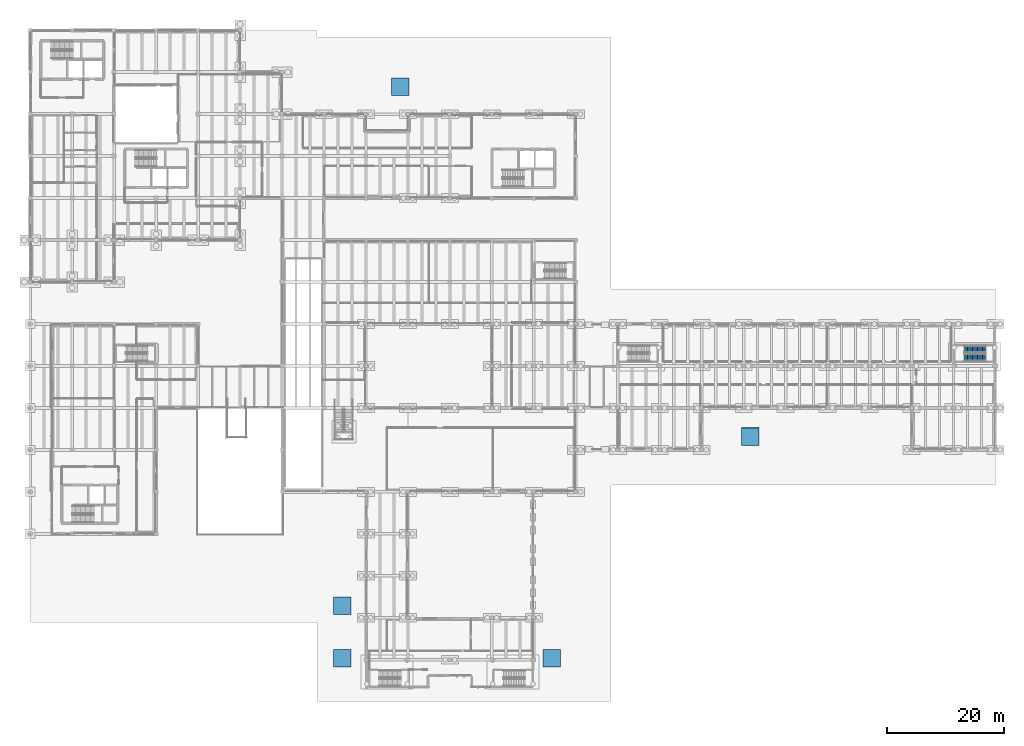
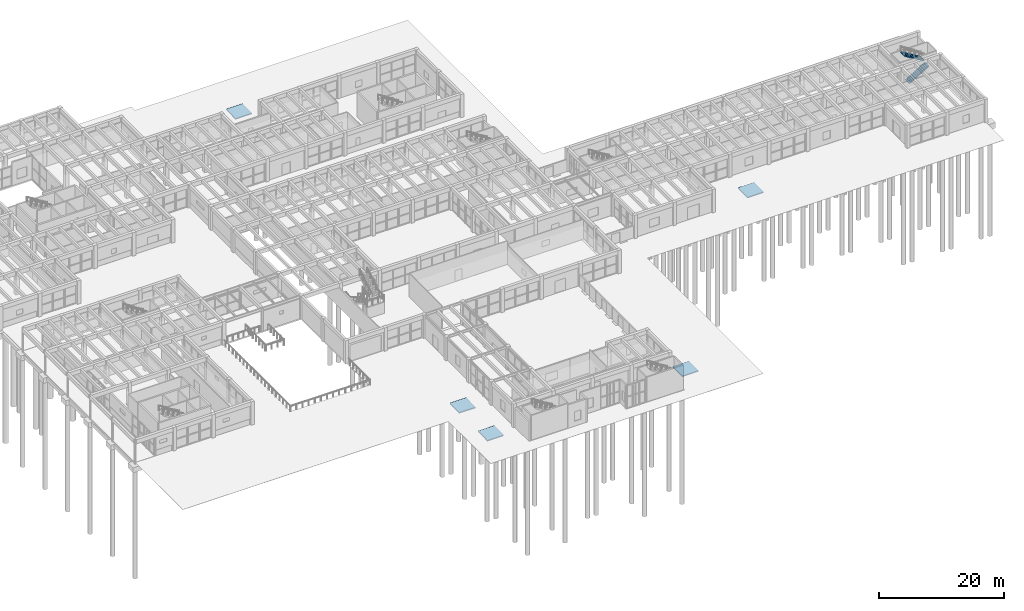
# One storey, part 129 of 155: 5 ramp flights, 2 stair flights, 6 elements without a shape of their own.
"""IFC4 building model written with IfcOpenShell, lengths in metres."""

from ifc_helpers import new_model, si_unit, direction, frame, origin, place, context, subcontext, project, spatial, polyline, outline, extrude, material, layer, layer_set, type_object, element, aggregate, save


model = new_model("IFC4")

# Units and contexts
model_context = context("Model", 3, precision=1e-05, world=origin(), true_north=direction((0.0, 1.0)))
body_context = subcontext(model_context, "Body", "Model", "MODEL_VIEW")
ifc_project = project(units=[si_unit("LENGTHUNIT", "METRE"), si_unit("AREAUNIT", "SQUARE_METRE"), si_unit("VOLUMEUNIT", "CUBIC_METRE"), si_unit("PLANEANGLEUNIT", "RADIAN"), si_unit("MASSUNIT", "GRAM", prefix="KILO")], contexts=[model_context])

# Site, building, storey
site_placement = place(None, origin())
site = spatial("IfcSite", under=ifc_project, at=site_placement, CompositionType="ELEMENT")
building_placement = place(site_placement, origin())
building = spatial("IfcBuilding", under=site, at=building_placement, Name="Bramvelor Terrace Health Centre", CompositionType="ELEMENT")
storey_placement = place(building_placement, origin())
storey = spatial("IfcBuildingStorey", under=building, at=storey_placement, Name="L01", CompositionType="ELEMENT", Elevation=0.0)

# Stair, stair flights
ifc_material_1 = material(Name="Concrete C40/50", Category="concrete")
stair_type = type_object("IfcStairType", Name="STR-SEC", PredefinedType="HALF_TURN_STAIR", material=ifc_material_1)
stair_placement = place(storey_placement, origin())
stair = element("IfcStair", 1, at=stair_placement, inside=storey, type_object=stair_type, Name="L01 East Day Surgery Exit Stair", PredefinedType="HALF_TURN_STAIR")
ifc_material_2 = material(Name="Concrete C40/50", Category="concrete")
stair_flight_type = type_object("IfcStairFlightType", Name="STRF-SEC", PredefinedType="STRAIGHT", material=ifc_material_2)
stair_flight_1_placement = place(storey_placement, frame((160.219970703125, 59.02490234375, 0.0), z_axis=(0.0, 0.0, 1.0), x_axis=(1.0, 0.0, 0.0)))
stair_flight_1 = element("IfcStairFlight", 2, at=stair_flight_1_placement, type_object=stair_flight_type, Name="ST-7 flight 1", NumberOfRisers=14, NumberOfTreads=13, PredefinedType="STRAIGHT", RiserHeight=0.171428571, TreadLength=0.285, context=body_context, shape_type="SweptSolid", body=[
    extrude(outline(polyline([(0.0, 0.0), (0.0, 0.17138671875), (0.284912109375, 0.17138671875), (0.284912109375, 0.3427734375), (0.570068359375, 0.3427734375), (0.570068359375, 0.514404296875), (0.85498046875, 0.514404296875), (0.85498046875, 0.685791015625), (1.139892578125, 0.685791015625), (1.139892578125, 0.857177734375), (1.425048828125, 0.857177734375), (1.425048828125, 1.028564453125), (1.7099609375, 1.028564453125), (1.7099609375, 1.199951171875), (1.9951171875, 1.199951171875), (1.9951171875, 1.371337890625), (2.280029296875, 1.371337890625), (2.280029296875, 1.54296875), (2.56494140625, 1.54296875), (2.56494140625, 1.71435546875), (2.85009765625, 1.71435546875), (2.85009765625, 1.8857421875), (3.135009765625, 1.8857421875), (3.135009765625, 2.05712890625), (3.419921875, 2.05712890625), (3.419921875, 2.228515625), (3.705078125, 2.228515625), (3.705078125, 2.39990234375), (3.705078125, 2.0537109375), (0.290771484375, 0.0), (0.0, 0.0)])), frame((0.0, 0.625, 0.0), z_axis=(0.0, -1.0, 0.0), x_axis=(1.0, 0.0, 0.0)), (0.0, 0.0, 1.0), 1.25),
])
stair_flight_2_placement = place(storey_placement, frame((163.925048828125, 60.47509765625, 2.39990234375), z_axis=(0.0, 0.0, 1.0), x_axis=(-1.0, 0.0, 0.0)))
stair_flight_2 = element("IfcStairFlight", 3, at=stair_flight_2_placement, type_object=stair_flight_type, Name="ST-7 flight 2", NumberOfRisers=14, NumberOfTreads=13, PredefinedType="STRAIGHT", RiserHeight=0.171428571, TreadLength=0.285, context=body_context, shape_type="SweptSolid", body=[
    extrude(outline(polyline([(0.0, 0.0), (0.0, 0.17138671875), (0.284912109375, 0.17138671875), (0.284912109375, 0.3427734375), (0.570068359375, 0.3427734375), (0.570068359375, 0.514404296875), (0.85498046875, 0.514404296875), (0.85498046875, 0.685791015625), (1.139892578125, 0.685791015625), (1.139892578125, 0.857177734375), (1.425048828125, 0.857177734375), (1.425048828125, 1.028564453125), (1.7099609375, 1.028564453125), (1.7099609375, 1.199951171875), (1.9951171875, 1.199951171875), (1.9951171875, 1.371337890625), (2.280029296875, 1.371337890625), (2.280029296875, 1.54296875), (2.56494140625, 1.54296875), (2.56494140625, 1.71435546875), (2.85009765625, 1.71435546875), (2.85009765625, 1.8857421875), (3.135009765625, 1.8857421875), (3.135009765625, 2.05712890625), (3.419921875, 2.05712890625), (3.419921875, 2.228515625), (3.705078125, 2.228515625), (3.705078125, 2.39990234375), (3.705078125, 2.0537109375), (0.290771484375, 0.0), (0.0, 0.0)])), frame((0.0, 0.625, 0.0), z_axis=(0.0, -1.0, 0.0), x_axis=(1.0, 0.0, 0.0)), (0.0, 0.0, 1.0), 1.25),
])
aggregate(stair, [stair_flight_1, stair_flight_2])

# Ramp, ramp flight
ifc_material_3 = material(Name="Concrete C40/50", Category="concrete")
ramp_type = type_object("IfcRampType", Name="RMP-PED-1", PredefinedType="STRAIGHT_RUN_RAMP", material=ifc_material_3)
ramp_1_placement = place(storey_placement, origin())
ramp_1 = element("IfcRamp", 4, at=ramp_1_placement, inside=storey, type_object=ramp_type, Name="Accessible Entrance Ramp PR1", PredefinedType="STRAIGHT_RUN_RAMP")
ifc_material_4 = material(Name="Concrete C40/50", Category="concrete")
ifc_layer = layer(ifc_material_4, 0.199951171875)
ifc_layer_set = layer_set([ifc_layer], Name="Concrete C40/50")
ramp_flight_type = type_object("IfcRampFlightType", Name="RMPF-PED-200", PredefinedType="STRAIGHT", material=ifc_layer_set)
ramp_flight_1_placement = place(storey_placement, frame((52.0, 6.0, -0.050048828125), z_axis=(0.0, -0.01668062159, 0.999860868753), x_axis=(1.0, 0.0, 0.0)))
ramp_flight_1 = element("IfcRampFlight", 5, at=ramp_flight_1_placement, type_object=ramp_flight_type, Name="Accessible Entrance Ramp Flight PR1", PredefinedType="STRAIGHT", context=body_context, shape_type="SweptSolid", body=[
    extrude(outline(polyline([(0.0, 0.0), (3.0, 0.0), (3.0, 3.0004174518217774), (0.0, 3.0004174518217774), (0.0, 0.0)])), origin(), (0.0, 0.0, -1.0), 0.199951171875),
])
aggregate(ramp_1, [ramp_flight_1])

ramp_2_placement = place(storey_placement, origin())
ramp_2 = element("IfcRamp", 6, at=ramp_2_placement, inside=storey, type_object=ramp_type, Name="Accessible Entrance Ramp PR2", PredefinedType="STRAIGHT_RUN_RAMP")
ramp_flight_2_placement = place(storey_placement, frame((88.0, 6.0, -0.050048828125), z_axis=(0.0, -0.01668062159, 0.999860868753), x_axis=(1.0, 0.0, 0.0)))
ramp_flight_2 = element("IfcRampFlight", 7, at=ramp_flight_2_placement, type_object=ramp_flight_type, Name="Accessible Entrance Ramp Flight PR2", PredefinedType="STRAIGHT", context=body_context, shape_type="SweptSolid", body=[
    extrude(outline(polyline([(0.0, 0.0), (3.0, 0.0), (3.0, 3.0004174518217774), (0.0, 3.0004174518217774), (0.0, 0.0)])), origin(), (0.0, 0.0, -1.0), 0.199951171875),
])
aggregate(ramp_2, [ramp_flight_2])

ramp_3_placement = place(storey_placement, origin())
ramp_3 = element("IfcRamp", 8, at=ramp_3_placement, inside=storey, type_object=ramp_type, Name="Accessible Entrance Ramp PR3", PredefinedType="STRAIGHT_RUN_RAMP")
ramp_flight_3_placement = place(storey_placement, frame((52.0, 15.0, -0.050048828125), z_axis=(0.0, -0.01668062159, 0.999860868753), x_axis=(1.0, 0.0, 0.0)))
ramp_flight_3 = element("IfcRampFlight", 9, at=ramp_flight_3_placement, type_object=ramp_flight_type, Name="Accessible Entrance Ramp Flight PR3", PredefinedType="STRAIGHT", context=body_context, shape_type="SweptSolid", body=[
    extrude(outline(polyline([(0.0, 0.0), (3.0, 0.0), (3.0, 3.0004174518217774), (0.0, 3.0004174518217774), (0.0, 0.0)])), origin(), (0.0, 0.0, -1.0), 0.199951171875),
])
aggregate(ramp_3, [ramp_flight_3])

ramp_4_placement = place(storey_placement, origin())
ramp_4 = element("IfcRamp", 10, at=ramp_4_placement, inside=storey, type_object=ramp_type, Name="Accessible Entrance Ramp PR4", PredefinedType="STRAIGHT_RUN_RAMP")
ramp_flight_4_placement = place(storey_placement, frame((122.0, 44.0, -0.050048828125), z_axis=(0.0, -0.01668062159, 0.999860868753), x_axis=(1.0, 0.0, 0.0)))
ramp_flight_4 = element("IfcRampFlight", 11, at=ramp_flight_4_placement, type_object=ramp_flight_type, Name="Accessible Entrance Ramp Flight PR4", PredefinedType="STRAIGHT", context=body_context, shape_type="SweptSolid", body=[
    extrude(outline(polyline([(0.0, 0.0), (3.0, 0.0), (3.0, 3.0004174518217774), (0.0, 3.0004174518217774), (0.0, 0.0)])), origin(), (0.0, 0.0, -1.0), 0.199951171875),
])
aggregate(ramp_4, [ramp_flight_4])

ramp_5_placement = place(storey_placement, origin())
ramp_5 = element("IfcRamp", 12, at=ramp_5_placement, inside=storey, type_object=ramp_type, Name="Accessible Entrance Ramp PR5", PredefinedType="STRAIGHT_RUN_RAMP")
ramp_flight_5_placement = place(storey_placement, frame((62.0, 104.0, -0.050048828125), z_axis=(0.0, -0.01668062159, 0.999860868753), x_axis=(1.0, 0.0, 0.0)))
ramp_flight_5 = element("IfcRampFlight", 13, at=ramp_flight_5_placement, type_object=ramp_flight_type, Name="Accessible Entrance Ramp Flight PR5", PredefinedType="STRAIGHT", context=body_context, shape_type="SweptSolid", body=[
    extrude(outline(polyline([(0.0, 0.0), (3.0, 0.0), (3.0, 3.0004174518217774), (0.0, 3.0004174518217774), (0.0, 0.0)])), origin(), (0.0, 0.0, -1.0), 0.199951171875),
])
aggregate(ramp_5, [ramp_flight_5])

save(model, "model.ifc")
